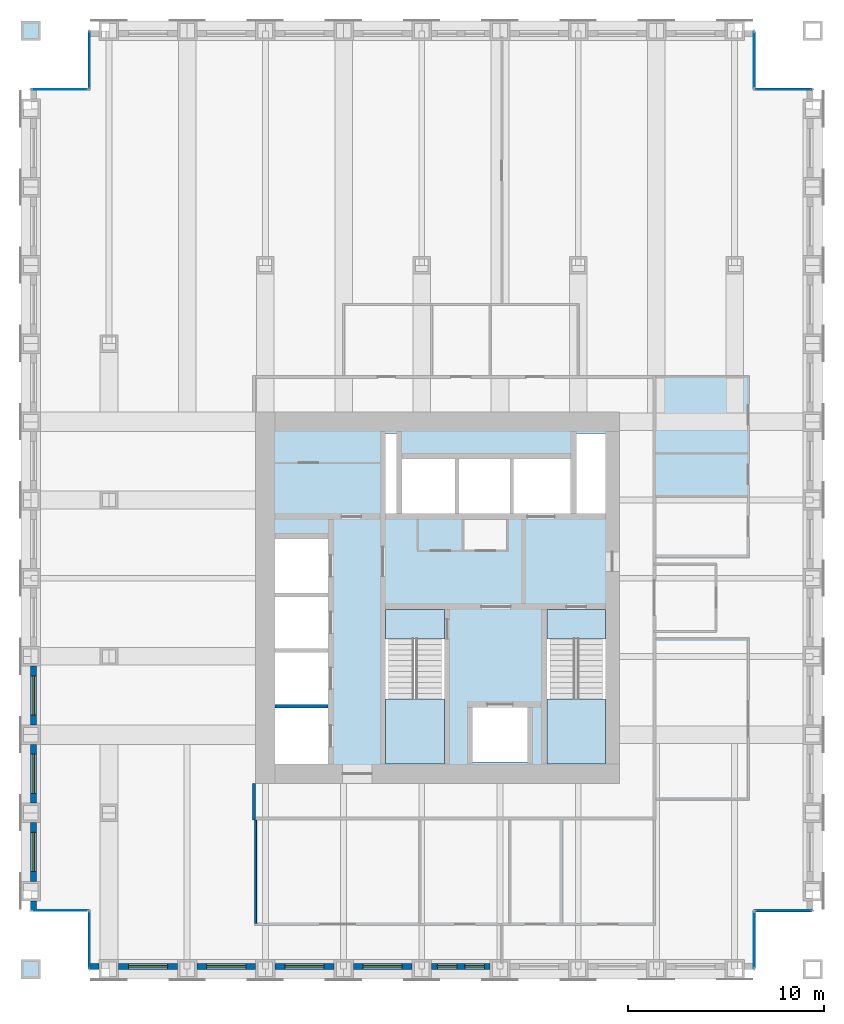
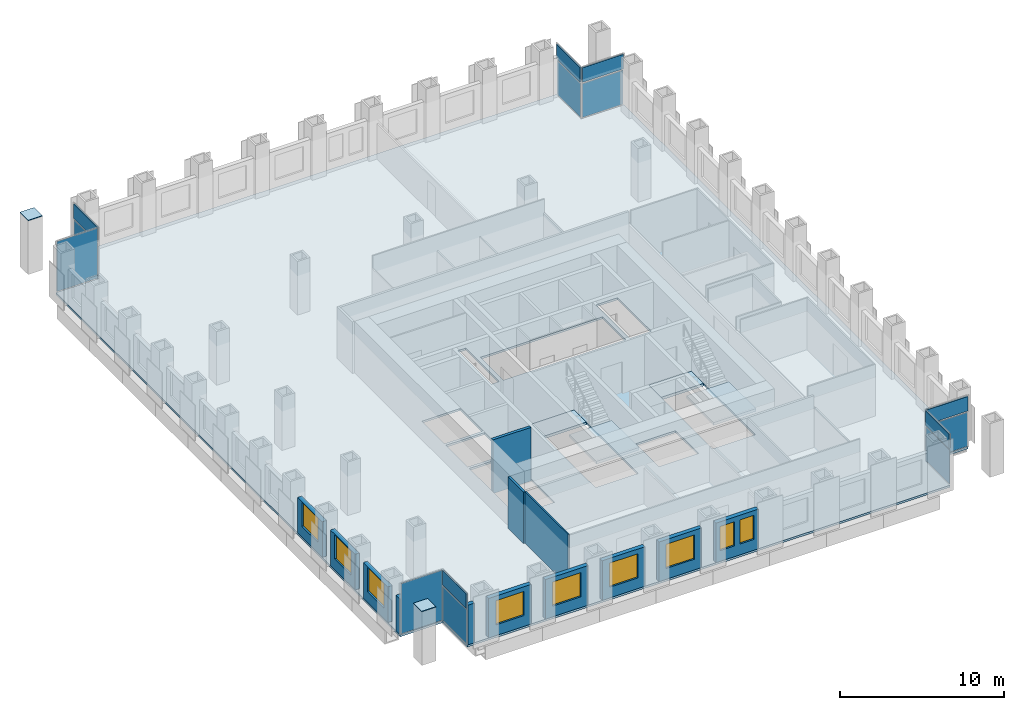
# One storey, part 8 of 13: 16 plates, 13 walls, 9 windows, 5 slabs, 9 openings, 16 elements without a shape of their own.
"""IFC4 building model written with IfcOpenShell, lengths in metres."""

from ifc_helpers import new_model, si_unit, direction, frame, frame_2d, origin, origin_2d, place, context, subcontext, project, spatial, polyline, rectangle, outline, extrude, material, layer, layer_set, type_object, element, fill, aggregate, save


model = new_model("IFC4")

# Units and contexts
model_context = context("Model", 3, precision=1e-05, world=origin(), true_north=direction((0.0, 1.0)))
body_context = subcontext(model_context, "Body", "Model", "MODEL_VIEW")
ifc_project = project(units=[si_unit("LENGTHUNIT", "METRE"), si_unit("AREAUNIT", "SQUARE_METRE"), si_unit("VOLUMEUNIT", "CUBIC_METRE"), si_unit("PLANEANGLEUNIT", "RADIAN"), si_unit("MASSUNIT", "GRAM", prefix="KILO")], contexts=[model_context])

# Site, building, storey
site_placement = place(None, origin())
site = spatial("IfcSite", under=ifc_project, at=site_placement, CompositionType="ELEMENT")
building_placement = place(site_placement, origin())
building = spatial("IfcBuilding", under=site, at=building_placement, Name="Rimbunsela Tower", CompositionType="ELEMENT")
storey_placement = place(building_placement, frame((0.0, 0.0, 199.800048828125)))
storey = spatial("IfcBuildingStorey", under=building, at=storey_placement, Name="L48", CompositionType="ELEMENT", Elevation=199.800048828125)

# Plates
ifc_material_1 = material(Name="Steel BJ 55 (fy 410 MPa)", Category="steel")
ifc_layer_1 = layer(ifc_material_1, 0.050048828125)
ifc_layer_set_1 = layer_set([ifc_layer_1], Name="End cap plate 50")
plate_type_1 = type_object("IfcPlateType", Name="End cap plate 50", PredefinedType="SHEET", material=ifc_layer_set_1)
for number, where, z_axis, x_axis, name in (
    (1, (6.0, 8.0, 4.0), (0.0, 0.0, 1.0), (1.0, 0.0, 0.0), "End cap Column C8 4/D L48"),
    (2, (6.0, 56.0, 4.0), (0.0, 0.0, 1.0), (1.0, 0.0, 0.0), "End cap Column C8 4/R L48"),
):
    element("IfcPlate", number, at=place(storey_placement, frame(where, z_axis=z_axis, x_axis=x_axis)), inside=storey, type_object=plate_type_1, Name=name, PredefinedType="SHEET", context=body_context, shape_type="SweptSolid", body=[
        extrude(rectangle(XDim=1.0, YDim=1.0, at=origin_2d()), origin(), (0.0, 0.0, 1.0), 0.050048828125),
    ])

# Slab
ifc_material_2 = material(Name="Concrete fc' 35 MPa", Category="concrete")
ifc_layer_2 = layer(ifc_material_2, 0.14990234375)
ifc_layer_set_2 = layer_set([ifc_layer_2], Name="Floor slab 150")
slab_type_1 = type_object("IfcSlabType", Name="Floor slab 150", PredefinedType="FLOOR", material=ifc_layer_set_2)
slab_1_placement = place(storey_placement, frame((0.0, 0.0, -0.150146484375)))
element("IfcSlab", 3, at=slab_1_placement, inside=storey, type_object=slab_type_1, Name="Floor slab L48", PredefinedType="FLOOR", context=body_context, shape_type="SweptSolid", body=[
    extrude(outline(polyline([(9.0, 8.0), (43.0, 8.0), (43.0, 11.0), (46.0, 11.0), (46.0, 53.0), (43.0, 53.0), (43.0, 56.0), (9.0, 56.0), (9.0, 53.0), (6.0, 53.0), (6.0, 11.0), (9.0, 11.0), (9.0, 8.0)]), holes=[polyline([(21.199951171875, 21.35009765625), (18.5, 21.35009765625), (18.5, 18.5), (21.199951171875, 18.5), (21.199951171875, 21.35009765625)]), polyline([(21.199951171875, 21.550048828125), (21.199951171875, 24.199951171875), (18.5, 24.199951171875), (18.5, 21.550048828125), (21.199951171875, 21.550048828125)]), polyline([(21.199951171875, 27.050048828125), (18.5, 27.050048828125), (18.5, 24.39990234375), (21.199951171875, 24.39990234375), (21.199951171875, 27.050048828125)]), polyline([(21.199951171875, 27.25), (21.199951171875, 30.0), (18.5, 30.0), (18.5, 27.25), (21.199951171875, 27.25)]), polyline([(27.14990234375, 18.60009765625), (27.14990234375, 26.39990234375), (24.14990234375, 26.39990234375), (24.14990234375, 18.60009765625), (27.14990234375, 18.60009765625)]), polyline([(24.699951171875, 31.300048828125), (24.699951171875, 35.39990234375), (24.14990234375, 35.39990234375), (24.14990234375, 31.300048828125), (24.699951171875, 31.300048828125)]), polyline([(25.0, 34.10009765625), (25.0, 31.300048828125), (33.60009765625, 31.300048828125), (33.60009765625, 34.10009765625), (25.0, 34.10009765625)]), polyline([(31.39990234375, 21.39990234375), (28.60009765625, 21.39990234375), (28.60009765625, 18.60009765625), (31.39990234375, 18.60009765625), (31.39990234375, 21.39990234375)]), polyline([(35.39990234375, 18.60009765625), (35.39990234375, 26.39990234375), (32.39990234375, 26.39990234375), (32.39990234375, 18.60009765625), (35.39990234375, 18.60009765625)]), polyline([(35.39990234375, 31.300048828125), (35.39990234375, 35.39990234375), (33.89990234375, 35.39990234375), (33.89990234375, 31.300048828125), (35.39990234375, 31.300048828125)])]), origin(), (0.0, 0.0, 1.0), 0.150146484375),
])

# Curtain wall, plate
ifc_material_3 = material(Name="Aluminium curtain wall", Category="aluminium")
curtain_wall_type_1 = type_object("IfcCurtainWallType", Name="Corner glazing", PredefinedType="USERDEFINED", material=ifc_material_3)
curtain_wall_1_placement = place(storey_placement, origin())
curtain_wall_1 = element("IfcCurtainWall", 4, at=curtain_wall_1_placement, inside=storey, type_object=curtain_wall_type_1, Name="Corner glazing L48", ObjectType="CORNER GLAZING", PredefinedType="USERDEFINED")
ifc_material_4 = material(Name="Clear double glazing", Category="glass")
ifc_layer_3 = layer(ifc_material_4, 0.028076171875)
ifc_layer_set_3 = layer_set([ifc_layer_3], Name="Glazed panel clear")
plate_type_2 = type_object("IfcPlateType", Name="Glazed panel clear", PredefinedType="CURTAIN_PANEL", material=ifc_layer_set_3)
plate_1_placement = place(storey_placement, frame((43.0, 9.5, 0.06005859375), z_axis=(0.0, 0.0, 1.0), x_axis=(0.0, 1.0, 0.0)))
plate_1 = element("IfcPlate", 5, at=plate_1_placement, type_object=plate_type_2, Name="CW5 panel 1.1", PredefinedType="CURTAIN_PANEL", context=body_context, shape_type="SweptSolid", body=[
    extrude(rectangle(XDim=2.8798828125, YDim=0.028076171875, at=origin_2d()), origin(), (0.0, 0.0, 1.0), 2.530029296875),
])
aggregate(curtain_wall_1, [plate_1])

curtain_wall_2_placement = place(storey_placement, origin())
curtain_wall_2 = element("IfcCurtainWall", 6, at=curtain_wall_2_placement, inside=storey, type_object=curtain_wall_type_1, Name="Corner glazing L48", ObjectType="CORNER GLAZING", PredefinedType="USERDEFINED")
plate_2_placement = place(storey_placement, frame((44.5, 11.0, 0.06005859375), z_axis=(0.0, 0.0, 1.0), x_axis=(1.0, 0.0, 0.0)))
plate_2 = element("IfcPlate", 7, at=plate_2_placement, type_object=plate_type_2, Name="CW5 panel 1.1", PredefinedType="CURTAIN_PANEL", context=body_context, shape_type="SweptSolid", body=[
    extrude(rectangle(XDim=2.8798828125, YDim=0.028076171875, at=origin_2d()), origin(), (0.0, 0.0, 1.0), 2.530029296875),
])
aggregate(curtain_wall_2, [plate_2])

curtain_wall_3_placement = place(storey_placement, origin())
curtain_wall_3 = element("IfcCurtainWall", 8, at=curtain_wall_3_placement, inside=storey, type_object=curtain_wall_type_1, Name="Corner glazing L48", ObjectType="CORNER GLAZING", PredefinedType="USERDEFINED")
plate_3_placement = place(storey_placement, frame((44.5, 53.0, 0.06005859375), z_axis=(0.0, 0.0, 1.0), x_axis=(-1.0, 0.0, 0.0)))
plate_3 = element("IfcPlate", 9, at=plate_3_placement, type_object=plate_type_2, Name="CW5 panel 1.1", PredefinedType="CURTAIN_PANEL", context=body_context, shape_type="SweptSolid", body=[
    extrude(rectangle(XDim=2.8798828125, YDim=0.028076171875, at=origin_2d()), origin(), (0.0, 0.0, 1.0), 2.530029296875),
])
aggregate(curtain_wall_3, [plate_3])

curtain_wall_4_placement = place(storey_placement, origin())
curtain_wall_4 = element("IfcCurtainWall", 10, at=curtain_wall_4_placement, inside=storey, type_object=curtain_wall_type_1, Name="Corner glazing L48", ObjectType="CORNER GLAZING", PredefinedType="USERDEFINED")
plate_4_placement = place(storey_placement, frame((43.0, 54.5, 0.06005859375), z_axis=(0.0, 0.0, 1.0), x_axis=(0.0, 1.0, 0.0)))
plate_4 = element("IfcPlate", 11, at=plate_4_placement, type_object=plate_type_2, Name="CW5 panel 1.1", PredefinedType="CURTAIN_PANEL", context=body_context, shape_type="SweptSolid", body=[
    extrude(rectangle(XDim=2.8798828125, YDim=0.028076171875, at=origin_2d()), origin(), (0.0, 0.0, 1.0), 2.530029296875),
])
aggregate(curtain_wall_4, [plate_4])

curtain_wall_5_placement = place(storey_placement, origin())
curtain_wall_5 = element("IfcCurtainWall", 12, at=curtain_wall_5_placement, inside=storey, type_object=curtain_wall_type_1, Name="Corner glazing L48", ObjectType="CORNER GLAZING", PredefinedType="USERDEFINED")
plate_5_placement = place(storey_placement, frame((9.0, 54.5, 0.06005859375), z_axis=(0.0, 0.0, 1.0), x_axis=(0.0, -1.0, 0.0)))
plate_5 = element("IfcPlate", 13, at=plate_5_placement, type_object=plate_type_2, Name="CW5 panel 1.1", PredefinedType="CURTAIN_PANEL", context=body_context, shape_type="SweptSolid", body=[
    extrude(rectangle(XDim=2.8798828125, YDim=0.028076171875, at=origin_2d()), origin(), (0.0, 0.0, 1.0), 2.530029296875),
])
aggregate(curtain_wall_5, [plate_5])

curtain_wall_6_placement = place(storey_placement, origin())
curtain_wall_6 = element("IfcCurtainWall", 14, at=curtain_wall_6_placement, inside=storey, type_object=curtain_wall_type_1, Name="Corner glazing L48", ObjectType="CORNER GLAZING", PredefinedType="USERDEFINED")
plate_6_placement = place(storey_placement, frame((7.5, 53.0, 0.06005859375), z_axis=(0.0, 0.0, 1.0), x_axis=(-1.0, 0.0, 0.0)))
plate_6 = element("IfcPlate", 15, at=plate_6_placement, type_object=plate_type_2, Name="CW5 panel 1.1", PredefinedType="CURTAIN_PANEL", context=body_context, shape_type="SweptSolid", body=[
    extrude(rectangle(XDim=2.8798828125, YDim=0.028076171875, at=origin_2d()), origin(), (0.0, 0.0, 1.0), 3.72998046875),
])
aggregate(curtain_wall_6, [plate_6])

curtain_wall_7_placement = place(storey_placement, origin())
curtain_wall_7 = element("IfcCurtainWall", 16, at=curtain_wall_7_placement, inside=storey, type_object=curtain_wall_type_1, Name="Corner glazing L48", ObjectType="CORNER GLAZING", PredefinedType="USERDEFINED")
plate_7_placement = place(storey_placement, frame((7.5, 11.0, 0.06005859375), z_axis=(0.0, 0.0, 1.0), x_axis=(1.0, 0.0, 0.0)))
plate_7 = element("IfcPlate", 17, at=plate_7_placement, type_object=plate_type_2, Name="CW5 panel 1.1", PredefinedType="CURTAIN_PANEL", context=body_context, shape_type="SweptSolid", body=[
    extrude(rectangle(XDim=2.8798828125, YDim=0.028076171875, at=origin_2d()), origin(), (0.0, 0.0, 1.0), 3.72998046875),
])
aggregate(curtain_wall_7, [plate_7])

curtain_wall_8_placement = place(storey_placement, origin())
curtain_wall_8 = element("IfcCurtainWall", 18, at=curtain_wall_8_placement, inside=storey, type_object=curtain_wall_type_1, Name="Corner glazing L48", ObjectType="CORNER GLAZING", PredefinedType="USERDEFINED")
plate_8_placement = place(storey_placement, frame((9.0, 9.5, 0.06005859375), z_axis=(0.0, 0.0, 1.0), x_axis=(0.0, -1.0, 0.0)))
plate_8 = element("IfcPlate", 19, at=plate_8_placement, type_object=plate_type_2, Name="CW5 panel 1.1", PredefinedType="CURTAIN_PANEL", context=body_context, shape_type="SweptSolid", body=[
    extrude(rectangle(XDim=2.8798828125, YDim=0.028076171875, at=origin_2d()), origin(), (0.0, 0.0, 1.0), 2.530029296875),
])
aggregate(curtain_wall_8, [plate_8])

ifc_material_5 = material(Name="Aluminium curtain wall", Category="aluminium")
curtain_wall_type_2 = type_object("IfcCurtainWallType", Name="Spandrel wall", PredefinedType="USERDEFINED", material=ifc_material_5)
curtain_wall_9_placement = place(storey_placement, origin())
curtain_wall_9 = element("IfcCurtainWall", 20, at=curtain_wall_9_placement, inside=storey, type_object=curtain_wall_type_2, Name="Spandrel wall L48", ObjectType="SPANDREL WALL", PredefinedType="USERDEFINED")
ifc_material_6 = material(Name="Insulated aluminium spandrel panel", Category="aluminium")
ifc_layer_4 = layer(ifc_material_6, 0.10009765625)
ifc_layer_set_4 = layer_set([ifc_layer_4], Name="Insulated panel 100")
plate_type_3 = type_object("IfcPlateType", Name="Insulated panel 100", PredefinedType="CURTAIN_PANEL", material=ifc_layer_set_4)
plate_9_placement = place(storey_placement, frame((43.0, 9.5, 2.7099609375), z_axis=(0.0, 0.0, 1.0), x_axis=(0.0, 1.0, 0.0)))
plate_9 = element("IfcPlate", 21, at=plate_9_placement, type_object=plate_type_3, Name="CW7 panel 1.1", PredefinedType="CURTAIN_PANEL", context=body_context, shape_type="SweptSolid", body=[
    extrude(rectangle(XDim=2.8798828125, YDim=0.10009765625, at=origin_2d()), origin(), (0.0, 0.0, 1.0), 1.080078125),
])
aggregate(curtain_wall_9, [plate_9])

curtain_wall_10_placement = place(storey_placement, origin())
curtain_wall_10 = element("IfcCurtainWall", 22, at=curtain_wall_10_placement, inside=storey, type_object=curtain_wall_type_2, Name="Spandrel wall L48", ObjectType="SPANDREL WALL", PredefinedType="USERDEFINED")
plate_10_placement = place(storey_placement, frame((44.5, 11.0, 2.7099609375), z_axis=(0.0, 0.0, 1.0), x_axis=(1.0, 0.0, 0.0)))
plate_10 = element("IfcPlate", 23, at=plate_10_placement, type_object=plate_type_3, Name="CW7 panel 1.1", PredefinedType="CURTAIN_PANEL", context=body_context, shape_type="SweptSolid", body=[
    extrude(rectangle(XDim=2.8798828125, YDim=0.10009765625, at=origin_2d()), origin(), (0.0, 0.0, 1.0), 1.080078125),
])
aggregate(curtain_wall_10, [plate_10])

curtain_wall_11_placement = place(storey_placement, origin())
curtain_wall_11 = element("IfcCurtainWall", 24, at=curtain_wall_11_placement, inside=storey, type_object=curtain_wall_type_2, Name="Spandrel wall L48", ObjectType="SPANDREL WALL", PredefinedType="USERDEFINED")
plate_11_placement = place(storey_placement, frame((44.5, 53.0, 2.7099609375), z_axis=(0.0, 0.0, 1.0), x_axis=(-1.0, 0.0, 0.0)))
plate_11 = element("IfcPlate", 25, at=plate_11_placement, type_object=plate_type_3, Name="CW7 panel 1.1", PredefinedType="CURTAIN_PANEL", context=body_context, shape_type="SweptSolid", body=[
    extrude(rectangle(XDim=2.8798828125, YDim=0.10009765625, at=origin_2d()), origin(), (0.0, 0.0, 1.0), 1.080078125),
])
aggregate(curtain_wall_11, [plate_11])

curtain_wall_12_placement = place(storey_placement, origin())
curtain_wall_12 = element("IfcCurtainWall", 26, at=curtain_wall_12_placement, inside=storey, type_object=curtain_wall_type_2, Name="Spandrel wall L48", ObjectType="SPANDREL WALL", PredefinedType="USERDEFINED")
plate_12_placement = place(storey_placement, frame((43.0, 54.5, 2.7099609375), z_axis=(0.0, 0.0, 1.0), x_axis=(0.0, 1.0, 0.0)))
plate_12 = element("IfcPlate", 27, at=plate_12_placement, type_object=plate_type_3, Name="CW7 panel 1.1", PredefinedType="CURTAIN_PANEL", context=body_context, shape_type="SweptSolid", body=[
    extrude(rectangle(XDim=2.8798828125, YDim=0.10009765625, at=origin_2d()), origin(), (0.0, 0.0, 1.0), 1.080078125),
])
aggregate(curtain_wall_12, [plate_12])

curtain_wall_13_placement = place(storey_placement, origin())
curtain_wall_13 = element("IfcCurtainWall", 28, at=curtain_wall_13_placement, inside=storey, type_object=curtain_wall_type_2, Name="Spandrel wall L48", ObjectType="SPANDREL WALL", PredefinedType="USERDEFINED")
plate_13_placement = place(storey_placement, frame((9.0, 54.5, 2.7099609375), z_axis=(0.0, 0.0, 1.0), x_axis=(0.0, -1.0, 0.0)))
plate_13 = element("IfcPlate", 29, at=plate_13_placement, type_object=plate_type_3, Name="CW7 panel 1.1", PredefinedType="CURTAIN_PANEL", context=body_context, shape_type="SweptSolid", body=[
    extrude(rectangle(XDim=2.8798828125, YDim=0.10009765625, at=origin_2d()), origin(), (0.0, 0.0, 1.0), 1.080078125),
])
aggregate(curtain_wall_13, [plate_13])

curtain_wall_14_placement = place(storey_placement, origin())
curtain_wall_14 = element("IfcCurtainWall", 30, at=curtain_wall_14_placement, inside=storey, type_object=curtain_wall_type_2, Name="Spandrel wall L48", ObjectType="SPANDREL WALL", PredefinedType="USERDEFINED")
plate_14_placement = place(storey_placement, frame((9.0, 9.5, 2.7099609375), z_axis=(0.0, 0.0, 1.0), x_axis=(0.0, -1.0, 0.0)))
plate_14 = element("IfcPlate", 31, at=plate_14_placement, type_object=plate_type_3, Name="CW7 panel 1.1", PredefinedType="CURTAIN_PANEL", context=body_context, shape_type="SweptSolid", body=[
    extrude(rectangle(XDim=2.8798828125, YDim=0.10009765625, at=origin_2d()), origin(), (0.0, 0.0, 1.0), 1.080078125),
])
aggregate(curtain_wall_14, [plate_14])

# Stair, slabs
ifc_material_7 = material(Name="Concrete fc' 35 MPa", Category="concrete")
stair_type = type_object("IfcStairType", Name="Exit stair 24 risers", PredefinedType="HALF_TURN_STAIR", material=ifc_material_7)
stair_1_placement = place(storey_placement, origin())
stair_1 = element("IfcStair", 32, at=stair_1_placement, inside=storey, type_object=stair_type, Name="Exit stair A L48", PredefinedType="HALF_TURN_STAIR")
ifc_material_8 = material(Name="Concrete fc' 35 MPa", Category="concrete")
ifc_layer_5 = layer(ifc_material_8, 0.199951171875)
ifc_layer_set_5 = layer_set([ifc_layer_5], Name="Stair landing 200")
slab_type_2 = type_object("IfcSlabType", Name="Stair landing 200", PredefinedType="LANDING", material=ifc_layer_set_5)
slab_2_placement = place(storey_placement, frame((0.0, 0.0, -0.199951171875)))
slab_2 = element("IfcSlab", 33, at=slab_2_placement, type_object=slab_type_2, Name="ST-A landing 1", PredefinedType="LANDING", context=body_context, shape_type="SweptSolid", body=[
    extrude(outline(polyline([(24.14990234375, 24.89990234375), (27.14990234375, 24.89990234375), (27.14990234375, 26.39990234375), (24.14990234375, 26.39990234375), (24.14990234375, 24.89990234375)])), origin(), (0.0, 0.0, 1.0), 0.199951171875),
])
slab_3_placement = place(storey_placement, frame((0.0, 0.0, 1.800048828125)))
slab_3 = element("IfcSlab", 34, at=slab_3_placement, type_object=slab_type_2, Name="ST-A landing 2", PredefinedType="LANDING", context=body_context, shape_type="SweptSolid", body=[
    extrude(outline(polyline([(24.14990234375, 18.5), (27.14990234375, 18.5), (27.14990234375, 21.820068359375), (24.14990234375, 21.820068359375), (24.14990234375, 18.5)])), origin(), (0.0, 0.0, 1.0), 0.199951171875),
])
aggregate(stair_1, [slab_2, slab_3])

stair_2_placement = place(storey_placement, origin())
stair_2 = element("IfcStair", 35, at=stair_2_placement, inside=storey, type_object=stair_type, Name="Exit stair B L48", PredefinedType="HALF_TURN_STAIR")
slab_4_placement = place(storey_placement, frame((0.0, 0.0, -0.199951171875)))
slab_4 = element("IfcSlab", 36, at=slab_4_placement, type_object=slab_type_2, Name="ST-B landing 1", PredefinedType="LANDING", context=body_context, shape_type="SweptSolid", body=[
    extrude(outline(polyline([(32.39990234375, 24.89990234375), (35.39990234375, 24.89990234375), (35.39990234375, 26.39990234375), (32.39990234375, 26.39990234375), (32.39990234375, 24.89990234375)])), origin(), (0.0, 0.0, 1.0), 0.199951171875),
])
slab_5_placement = place(storey_placement, frame((0.0, 0.0, 1.800048828125)))
slab_5 = element("IfcSlab", 37, at=slab_5_placement, type_object=slab_type_2, Name="ST-B landing 2", PredefinedType="LANDING", context=body_context, shape_type="SweptSolid", body=[
    extrude(outline(polyline([(32.39990234375, 18.5), (35.39990234375, 18.5), (35.39990234375, 21.820068359375), (32.39990234375, 21.820068359375), (32.39990234375, 18.5)])), origin(), (0.0, 0.0, 1.0), 0.199951171875),
])
aggregate(stair_2, [slab_4, slab_5])

# Walls
ifc_material_9 = material(Name="Concrete blockwork", Category="masonry")
ifc_layer_6 = layer(ifc_material_9, 0.199951171875)
ifc_layer_set_6 = layer_set([ifc_layer_6], Name="Lift shaft wall 200")
wall_type_1 = type_object("IfcWallType", Name="Lift shaft wall 200", PredefinedType="SOLIDWALL", material=ifc_layer_set_6)
wall_1_placement = place(storey_placement, frame((18.5, 21.449951171875, -0.150146484375), z_axis=(0.0, 0.0, 1.0), x_axis=(1.0, 0.0, 0.0)))
element("IfcWall", 38, at=wall_1_placement, inside=storey, type_object=wall_type_1, Name="Lift shaft separation", PredefinedType="SOLIDWALL", context=body_context, shape_type="SweptSolid", body=[
    extrude(rectangle(XDim=2.699951171875, YDim=0.199951171875, at=frame_2d((1.35009765625, 0.0))), origin(), (0.0, 0.0, 1.0), 4.0),
])
ifc_material_10 = material(Name="Gypsum board on steel studs", Category="steel")
ifc_layer_7 = layer(ifc_material_10, 0.10009765625)
ifc_layer_set_7 = layer_set([ifc_layer_7], Name="Office partition 100")
wall_type_2 = type_object("IfcWallType", Name="Office partition 100", PredefinedType="PARTITIONING", material=ifc_layer_set_7)
wall_2_placement = place(storey_placement, frame((17.5, 10.35009765625, 0.0), z_axis=(0.0, 0.0, 1.0), x_axis=(0.0, 1.0, 0.0)))
element("IfcWall", 39, at=wall_2_placement, inside=storey, type_object=wall_type_2, Name="Office partition", PredefinedType="PARTITIONING", context=body_context, shape_type="SweptSolid", body=[
    extrude(rectangle(XDim=5.27490234375, YDim=0.10009765625, at=frame_2d((2.637451171875, 0.0))), origin(), (0.0, 0.0, 1.0), 3.849853515625),
])
ifc_material_11 = material(Name="Precast concrete fc' 35 MPa", Category="concrete")
ifc_layer_8 = layer(ifc_material_11, 0.300048828125)
ifc_layer_set_8 = layer_set([ifc_layer_8], Name="Precast concrete fc' 35 MPa")
wall_type_3 = type_object("IfcWallType", Name="Precast facade panel 300", PredefinedType="ELEMENTEDWALL", material=ifc_layer_set_8)
wall_3_placement = place(storey_placement, frame((9.030029296875, 8.14990234375, 0.0), z_axis=(0.0, 0.0, 1.0), x_axis=(1.0, 0.0, 0.0)))
element("IfcWall", 40, at=wall_3_placement, inside=storey, type_object=wall_type_3, Name="Facade panel S L48", PredefinedType="ELEMENTEDWALL", context=body_context, shape_type="SweptSolid", body=[
    extrude(rectangle(XDim=0.469970703125, YDim=0.300048828125, at=frame_2d((0.23486328125, 0.0))), origin(), (0.0, 0.0, 1.0), 2.949951171875),
])

# Wall, opening, window
wall_4_placement = place(storey_placement, frame((10.5, 8.14990234375, 0.0), z_axis=(0.0, 0.0, 1.0), x_axis=(1.0, 0.0, 0.0)))
wall_4 = element("IfcWall", 41, at=wall_4_placement, inside=storey, type_object=wall_type_3, Name="Facade panel S L48", PredefinedType="ELEMENTEDWALL", context=body_context, shape_type="SweptSolid", body=[
    extrude(rectangle(XDim=3.0, YDim=0.300048828125, at=frame_2d((1.5, 0.0))), origin(), (0.0, 0.0, 1.0), 2.949951171875),
])
opening_1_placement = place(wall_4_placement, frame((0.5, 0.0, 0.800048828125)))
opening_1 = element("IfcOpeningElement", 42, at=opening_1_placement, cuts=wall_4, Name="Opening W7", PredefinedType="OPENING", context=body_context, shape_type="SweptSolid", body=[
    extrude(rectangle(XDim=2.0, YDim=1.800048828125, at=frame_2d((1.0, 0.89990234375))), frame((0.0, 0.159912109375, 0.0), z_axis=(0.0, -1.0, 0.0), x_axis=(1.0, 0.0, 0.0)), (0.0, 0.0, 1.0), 0.320068359375),
])
ifc_material_12 = material(Name="Clear glass in aluminium frame", Category="aluminium")
window_type_1 = type_object("IfcWindowType", Name="Window W7 2000x1800", PartitioningType="DOUBLE_PANEL_VERTICAL", PredefinedType="WINDOW", material=ifc_material_12)
window_1_placement = place(opening_1_placement, origin())
window_1 = element("IfcWindow", 43, at=window_1_placement, inside=storey, type_object=window_type_1, Name="Window L48", OverallHeight=1.800048828125, OverallWidth=2.0, PartitioningType="SINGLE_PANEL", PredefinedType="WINDOW", context=body_context, shape_type="SweptSolid", body=[
    extrude(rectangle(XDim=2.0, YDim=1.800048828125, at=frame_2d((1.0, 0.89990234375))), frame((0.0, 0.030029296875, 0.0), z_axis=(0.0, -1.0, 0.0), x_axis=(1.0, 0.0, 0.0)), (0.0, 0.0, 1.0), 0.06005859375),
])
fill(opening_1, window_1)

wall_5_placement = place(storey_placement, frame((14.5, 8.14990234375, 0.0), z_axis=(0.0, 0.0, 1.0), x_axis=(1.0, 0.0, 0.0)))
wall_5 = element("IfcWall", 44, at=wall_5_placement, inside=storey, type_object=wall_type_3, Name="Facade panel S L48", PredefinedType="ELEMENTEDWALL", context=body_context, shape_type="SweptSolid", body=[
    extrude(rectangle(XDim=3.0, YDim=0.300048828125, at=frame_2d((1.5, 0.0))), origin(), (0.0, 0.0, 1.0), 2.949951171875),
])
opening_2_placement = place(wall_5_placement, frame((0.5, 0.0, 0.800048828125)))
opening_2 = element("IfcOpeningElement", 45, at=opening_2_placement, cuts=wall_5, Name="Opening W7", PredefinedType="OPENING", context=body_context, shape_type="SweptSolid", body=[
    extrude(rectangle(XDim=2.0, YDim=1.800048828125, at=frame_2d((1.0, 0.89990234375))), frame((0.0, 0.159912109375, 0.0), z_axis=(0.0, -1.0, 0.0), x_axis=(1.0, 0.0, 0.0)), (0.0, 0.0, 1.0), 0.320068359375),
])
window_2_placement = place(opening_2_placement, origin())
window_2 = element("IfcWindow", 46, at=window_2_placement, inside=storey, type_object=window_type_1, Name="Window L48", OverallHeight=1.800048828125, OverallWidth=2.0, PartitioningType="SINGLE_PANEL", PredefinedType="WINDOW", context=body_context, shape_type="SweptSolid", body=[
    extrude(rectangle(XDim=2.0, YDim=1.800048828125, at=frame_2d((1.0, 0.89990234375))), frame((0.0, 0.030029296875, 0.0), z_axis=(0.0, -1.0, 0.0), x_axis=(1.0, 0.0, 0.0)), (0.0, 0.0, 1.0), 0.06005859375),
])
fill(opening_2, window_2)

wall_6_placement = place(storey_placement, frame((18.5, 8.14990234375, 0.0), z_axis=(0.0, 0.0, 1.0), x_axis=(1.0, 0.0, 0.0)))
wall_6 = element("IfcWall", 47, at=wall_6_placement, inside=storey, type_object=wall_type_3, Name="Facade panel S L48", PredefinedType="ELEMENTEDWALL", context=body_context, shape_type="SweptSolid", body=[
    extrude(rectangle(XDim=3.0, YDim=0.300048828125, at=frame_2d((1.5, 0.0))), origin(), (0.0, 0.0, 1.0), 2.949951171875),
])
opening_3_placement = place(wall_6_placement, frame((0.5, 0.0, 0.800048828125)))
opening_3 = element("IfcOpeningElement", 48, at=opening_3_placement, cuts=wall_6, Name="Opening W7", PredefinedType="OPENING", context=body_context, shape_type="SweptSolid", body=[
    extrude(rectangle(XDim=2.0, YDim=1.800048828125, at=frame_2d((1.0, 0.89990234375))), frame((0.0, 0.159912109375, 0.0), z_axis=(0.0, -1.0, 0.0), x_axis=(1.0, 0.0, 0.0)), (0.0, 0.0, 1.0), 0.320068359375),
])
window_3_placement = place(opening_3_placement, origin())
window_3 = element("IfcWindow", 49, at=window_3_placement, inside=storey, type_object=window_type_1, Name="Window L48", OverallHeight=1.800048828125, OverallWidth=2.0, PartitioningType="SINGLE_PANEL", PredefinedType="WINDOW", context=body_context, shape_type="SweptSolid", body=[
    extrude(rectangle(XDim=2.0, YDim=1.800048828125, at=frame_2d((1.0, 0.89990234375))), frame((0.0, 0.030029296875, 0.0), z_axis=(0.0, -1.0, 0.0), x_axis=(1.0, 0.0, 0.0)), (0.0, 0.0, 1.0), 0.06005859375),
])
fill(opening_3, window_3)

wall_7_placement = place(storey_placement, frame((22.5, 8.14990234375, 0.0), z_axis=(0.0, 0.0, 1.0), x_axis=(1.0, 0.0, 0.0)))
wall_7 = element("IfcWall", 50, at=wall_7_placement, inside=storey, type_object=wall_type_3, Name="Facade panel S L48", PredefinedType="ELEMENTEDWALL", context=body_context, shape_type="SweptSolid", body=[
    extrude(rectangle(XDim=3.0, YDim=0.300048828125, at=frame_2d((1.5, 0.0))), origin(), (0.0, 0.0, 1.0), 2.949951171875),
])
opening_4_placement = place(wall_7_placement, frame((0.5, 0.0, 0.800048828125)))
opening_4 = element("IfcOpeningElement", 51, at=opening_4_placement, cuts=wall_7, Name="Opening W7", PredefinedType="OPENING", context=body_context, shape_type="SweptSolid", body=[
    extrude(rectangle(XDim=2.0, YDim=1.800048828125, at=frame_2d((1.0, 0.89990234375))), frame((0.0, 0.159912109375, 0.0), z_axis=(0.0, -1.0, 0.0), x_axis=(1.0, 0.0, 0.0)), (0.0, 0.0, 1.0), 0.320068359375),
])
window_4_placement = place(opening_4_placement, origin())
window_4 = element("IfcWindow", 52, at=window_4_placement, inside=storey, type_object=window_type_1, Name="Window L48", OverallHeight=1.800048828125, OverallWidth=2.0, PartitioningType="SINGLE_PANEL", PredefinedType="WINDOW", context=body_context, shape_type="SweptSolid", body=[
    extrude(rectangle(XDim=2.0, YDim=1.800048828125, at=frame_2d((1.0, 0.89990234375))), frame((0.0, 0.030029296875, 0.0), z_axis=(0.0, -1.0, 0.0), x_axis=(1.0, 0.0, 0.0)), (0.0, 0.0, 1.0), 0.06005859375),
])
fill(opening_4, window_4)

# Wall, openings, windows
wall_8_placement = place(storey_placement, frame((26.5, 8.14990234375, 0.0), z_axis=(0.0, 0.0, 1.0), x_axis=(1.0, 0.0, 0.0)))
wall_8 = element("IfcWall", 53, at=wall_8_placement, inside=storey, type_object=wall_type_3, Name="Facade panel S L48", PredefinedType="ELEMENTEDWALL", context=body_context, shape_type="SweptSolid", body=[
    extrude(rectangle(XDim=3.0, YDim=0.300048828125, at=frame_2d((1.5, 0.0))), origin(), (0.0, 0.0, 1.0), 2.949951171875),
])
opening_5_placement = place(wall_8_placement, frame((0.300048828125, 0.0, 0.800048828125)))
opening_5 = element("IfcOpeningElement", 54, at=opening_5_placement, cuts=wall_8, Name="Opening W8", PredefinedType="OPENING", context=body_context, shape_type="SweptSolid", body=[
    extrude(rectangle(XDim=1.0, YDim=1.800048828125, at=frame_2d((0.5, 0.89990234375))), frame((0.0, 0.159912109375, 0.0), z_axis=(0.0, -1.0, 0.0), x_axis=(1.0, 0.0, 0.0)), (0.0, 0.0, 1.0), 0.320068359375),
])
opening_6_placement = place(wall_8_placement, frame((1.699951171875, 0.0, 0.800048828125)))
opening_6 = element("IfcOpeningElement", 55, at=opening_6_placement, cuts=wall_8, Name="Opening W8", PredefinedType="OPENING", context=body_context, shape_type="SweptSolid", body=[
    extrude(rectangle(XDim=1.0, YDim=1.800048828125, at=frame_2d((0.5, 0.89990234375))), frame((0.0, 0.159912109375, 0.0), z_axis=(0.0, -1.0, 0.0), x_axis=(1.0, 0.0, 0.0)), (0.0, 0.0, 1.0), 0.320068359375),
])
ifc_material_13 = material(Name="Clear glass in aluminium frame", Category="aluminium")
window_type_2 = type_object("IfcWindowType", Name="Window W8 1000x1800", PartitioningType="SINGLE_PANEL", PredefinedType="WINDOW", material=ifc_material_13)
window_5_placement = place(opening_5_placement, origin())
window_5 = element("IfcWindow", 56, at=window_5_placement, inside=storey, type_object=window_type_2, Name="Window L48", OverallHeight=1.800048828125, OverallWidth=1.0, PartitioningType="SINGLE_PANEL", PredefinedType="WINDOW", context=body_context, shape_type="SweptSolid", body=[
    extrude(rectangle(XDim=1.0, YDim=1.800048828125, at=frame_2d((0.5, 0.89990234375))), frame((0.0, 0.030029296875, 0.0), z_axis=(0.0, -1.0, 0.0), x_axis=(1.0, 0.0, 0.0)), (0.0, 0.0, 1.0), 0.06005859375),
])
fill(opening_5, window_5)
window_6_placement = place(opening_6_placement, origin())
window_6 = element("IfcWindow", 57, at=window_6_placement, inside=storey, type_object=window_type_2, Name="Window L48", OverallHeight=1.800048828125, OverallWidth=1.0, PartitioningType="SINGLE_PANEL", PredefinedType="WINDOW", context=body_context, shape_type="SweptSolid", body=[
    extrude(rectangle(XDim=1.0, YDim=1.800048828125, at=frame_2d((0.5, 0.89990234375))), frame((0.0, 0.030029296875, 0.0), z_axis=(0.0, -1.0, 0.0), x_axis=(1.0, 0.0, 0.0)), (0.0, 0.0, 1.0), 0.06005859375),
])
fill(opening_6, window_6)

# Wall
wall_9_placement = place(storey_placement, frame((6.14990234375, 11.5, 0.0), z_axis=(0.0, 0.0, 1.0), x_axis=(0.0, -1.0, 0.0)))
element("IfcWall", 58, at=wall_9_placement, inside=storey, type_object=wall_type_3, Name="Facade panel W L48", PredefinedType="ELEMENTEDWALL", context=body_context, shape_type="SweptSolid", body=[
    extrude(rectangle(XDim=0.469970703125, YDim=0.300048828125, at=frame_2d((0.23486328125, 0.0))), origin(), (0.0, 0.0, 1.0), 2.64990234375),
])

# Wall, opening, window
wall_10_placement = place(storey_placement, frame((6.14990234375, 15.5, 0.0), z_axis=(0.0, 0.0, 1.0), x_axis=(0.0, -1.0, 0.0)))
wall_10 = element("IfcWall", 59, at=wall_10_placement, inside=storey, type_object=wall_type_3, Name="Facade panel W L48", PredefinedType="ELEMENTEDWALL", context=body_context, shape_type="SweptSolid", body=[
    extrude(rectangle(XDim=3.0, YDim=0.300048828125, at=frame_2d((1.5, 0.0))), origin(), (0.0, 0.0, 1.0), 2.64990234375),
])
opening_7_placement = place(wall_10_placement, frame((0.5, 0.0, 0.800048828125)))
opening_7 = element("IfcOpeningElement", 60, at=opening_7_placement, cuts=wall_10, Name="Opening W7", PredefinedType="OPENING", context=body_context, shape_type="SweptSolid", body=[
    extrude(rectangle(XDim=2.0, YDim=1.800048828125, at=frame_2d((1.0, 0.89990234375))), frame((0.0, 0.159912109375, 0.0), z_axis=(0.0, -1.0, 0.0), x_axis=(1.0, 0.0, 0.0)), (0.0, 0.0, 1.0), 0.320068359375),
])
window_7_placement = place(opening_7_placement, origin())
window_7 = element("IfcWindow", 61, at=window_7_placement, inside=storey, type_object=window_type_1, Name="Window L48", OverallHeight=1.800048828125, OverallWidth=2.0, PartitioningType="SINGLE_PANEL", PredefinedType="WINDOW", context=body_context, shape_type="SweptSolid", body=[
    extrude(rectangle(XDim=2.0, YDim=1.800048828125, at=frame_2d((1.0, 0.89990234375))), frame((0.0, 0.030029296875, 0.0), z_axis=(0.0, -1.0, 0.0), x_axis=(1.0, 0.0, 0.0)), (0.0, 0.0, 1.0), 0.06005859375),
])
fill(opening_7, window_7)

wall_11_placement = place(storey_placement, frame((6.14990234375, 19.5, 0.0), z_axis=(0.0, 0.0, 1.0), x_axis=(0.0, -1.0, 0.0)))
wall_11 = element("IfcWall", 62, at=wall_11_placement, inside=storey, type_object=wall_type_3, Name="Facade panel W L48", PredefinedType="ELEMENTEDWALL", context=body_context, shape_type="SweptSolid", body=[
    extrude(rectangle(XDim=3.0, YDim=0.300048828125, at=frame_2d((1.5, 0.0))), origin(), (0.0, 0.0, 1.0), 2.64990234375),
])
opening_8_placement = place(wall_11_placement, frame((0.5, 0.0, 0.800048828125)))
opening_8 = element("IfcOpeningElement", 63, at=opening_8_placement, cuts=wall_11, Name="Opening W7", PredefinedType="OPENING", context=body_context, shape_type="SweptSolid", body=[
    extrude(rectangle(XDim=2.0, YDim=1.800048828125, at=frame_2d((1.0, 0.89990234375))), frame((0.0, 0.159912109375, 0.0), z_axis=(0.0, -1.0, 0.0), x_axis=(1.0, 0.0, 0.0)), (0.0, 0.0, 1.0), 0.320068359375),
])
window_8_placement = place(opening_8_placement, origin())
window_8 = element("IfcWindow", 64, at=window_8_placement, inside=storey, type_object=window_type_1, Name="Window L48", OverallHeight=1.800048828125, OverallWidth=2.0, PartitioningType="SINGLE_PANEL", PredefinedType="WINDOW", context=body_context, shape_type="SweptSolid", body=[
    extrude(rectangle(XDim=2.0, YDim=1.800048828125, at=frame_2d((1.0, 0.89990234375))), frame((0.0, 0.030029296875, 0.0), z_axis=(0.0, -1.0, 0.0), x_axis=(1.0, 0.0, 0.0)), (0.0, 0.0, 1.0), 0.06005859375),
])
fill(opening_8, window_8)

wall_12_placement = place(storey_placement, frame((6.14990234375, 23.5, 0.0), z_axis=(0.0, 0.0, 1.0), x_axis=(0.0, -1.0, 0.0)))
wall_12 = element("IfcWall", 65, at=wall_12_placement, inside=storey, type_object=wall_type_3, Name="Facade panel W L48", PredefinedType="ELEMENTEDWALL", context=body_context, shape_type="SweptSolid", body=[
    extrude(rectangle(XDim=3.0, YDim=0.300048828125, at=frame_2d((1.5, 0.0))), origin(), (0.0, 0.0, 1.0), 2.64990234375),
])
opening_9_placement = place(wall_12_placement, frame((0.5, 0.0, 0.800048828125)))
opening_9 = element("IfcOpeningElement", 66, at=opening_9_placement, cuts=wall_12, Name="Opening W7", PredefinedType="OPENING", context=body_context, shape_type="SweptSolid", body=[
    extrude(rectangle(XDim=2.0, YDim=1.800048828125, at=frame_2d((1.0, 0.89990234375))), frame((0.0, 0.159912109375, 0.0), z_axis=(0.0, -1.0, 0.0), x_axis=(1.0, 0.0, 0.0)), (0.0, 0.0, 1.0), 0.320068359375),
])
window_9_placement = place(opening_9_placement, origin())
window_9 = element("IfcWindow", 67, at=window_9_placement, inside=storey, type_object=window_type_1, Name="Window L48", OverallHeight=1.800048828125, OverallWidth=2.0, PartitioningType="SINGLE_PANEL", PredefinedType="WINDOW", context=body_context, shape_type="SweptSolid", body=[
    extrude(rectangle(XDim=2.0, YDim=1.800048828125, at=frame_2d((1.0, 0.89990234375))), frame((0.0, 0.030029296875, 0.0), z_axis=(0.0, -1.0, 0.0), x_axis=(1.0, 0.0, 0.0)), (0.0, 0.0, 1.0), 0.06005859375),
])
fill(opening_9, window_9)

# Wall
ifc_material_14 = material(Name="Fire-rated gypsum board on steel studs, EI 60", Category="steel")
ifc_layer_9 = layer(ifc_material_14, 0.14990234375)
ifc_layer_set_9 = layer_set([ifc_layer_9], Name="Rated corridor wall 150")
wall_type_4 = type_object("IfcWallType", Name="Rated corridor wall 150", PredefinedType="PARTITIONING", material=ifc_layer_set_9)
wall_13_placement = place(storey_placement, frame((17.425048828125, 15.625, 0.0), z_axis=(0.0, 0.0, 1.0), x_axis=(0.0, 1.0, 0.0)))
element("IfcWall", 68, at=wall_13_placement, inside=storey, type_object=wall_type_4, Name="Corridor end wall south", PredefinedType="PARTITIONING", context=body_context, shape_type="SweptSolid", body=[
    extrude(rectangle(XDim=1.875, YDim=0.14990234375, at=frame_2d((0.9375, 0.0))), origin(), (0.0, 0.0, 1.0), 3.849853515625),
])

save(model, "model.ifc")
